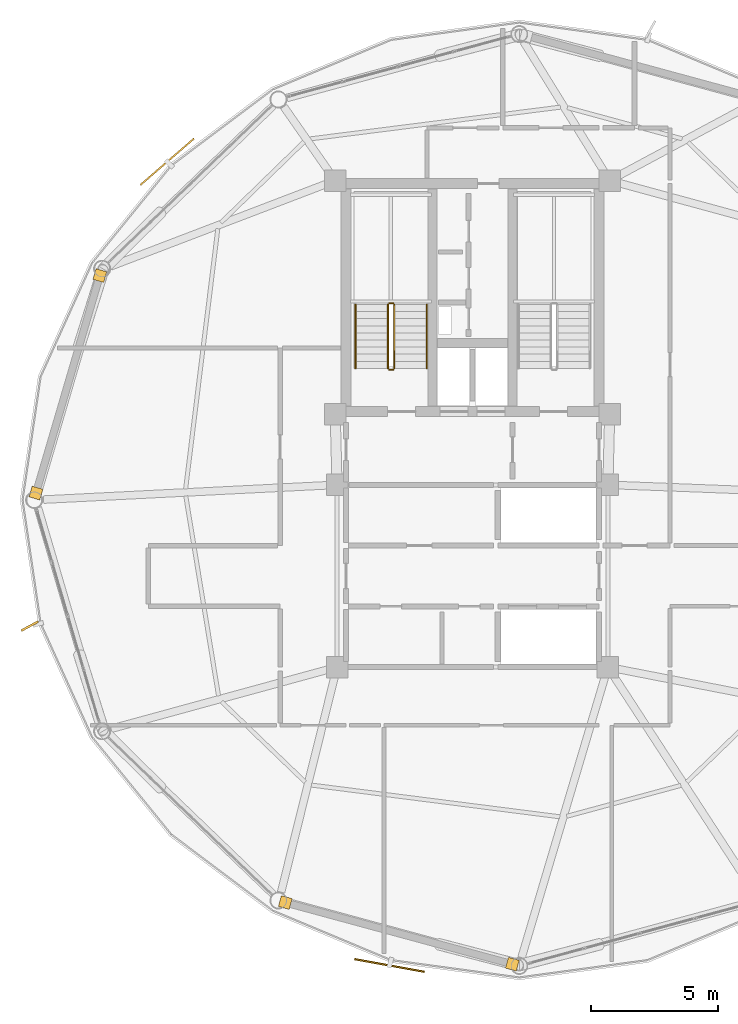
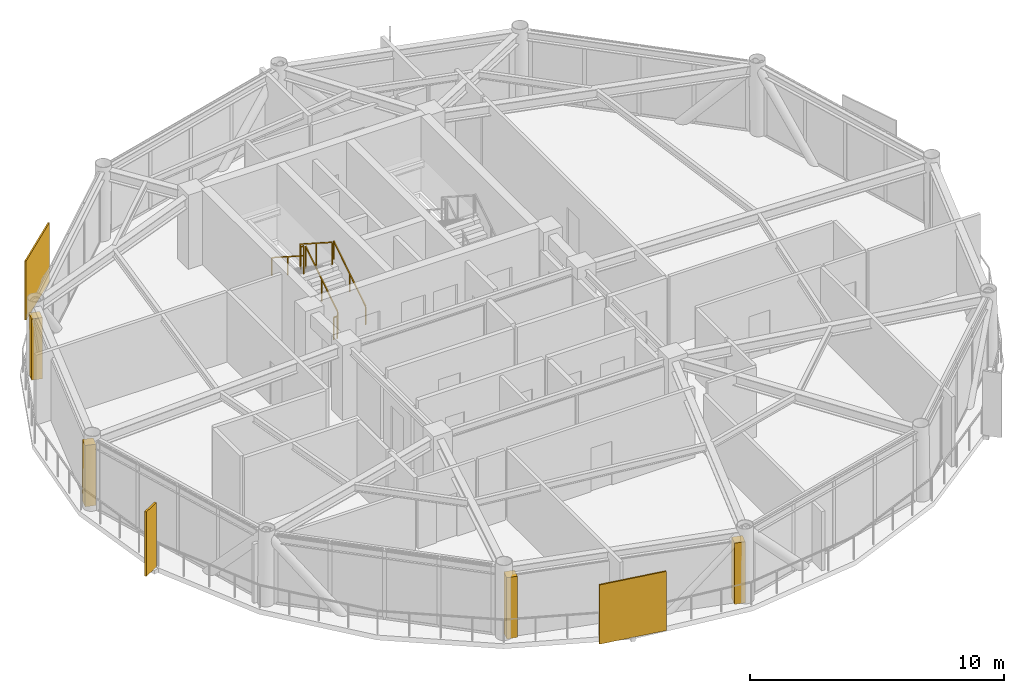
# One storey, part 26 of 28: 6 railings, 4 coverings, 3 shading devices.
"""IFC4 building model written with IfcOpenShell, lengths in metres."""

from ifc_helpers import new_model, si_unit, direction, frame, origin, origin_2d, place, context, subcontext, project, spatial, rectangle, extrude, source, transform, mapped, material, layer, layer_set, type_object, type_shapes, element, save


model = new_model("IFC4")

# Units and contexts
model_context = context("Model", 3, precision=1e-05, world=origin(), true_north=direction((0.0, 1.0)))
body_context = subcontext(model_context, "Body", "Model", "MODEL_VIEW")
ifc_project = project(units=[si_unit("LENGTHUNIT", "METRE"), si_unit("AREAUNIT", "SQUARE_METRE"), si_unit("VOLUMEUNIT", "CUBIC_METRE"), si_unit("PLANEANGLEUNIT", "RADIAN"), si_unit("MASSUNIT", "GRAM", prefix="KILO")], contexts=[model_context])

# Site, building, storey
site_placement = place(None, origin())
site = spatial("IfcSite", under=ifc_project, at=site_placement, CompositionType="ELEMENT")
building_placement = place(site_placement, origin())
building = spatial("IfcBuilding", under=site, at=building_placement, Name="Varnakorn Sky Granary", CompositionType="ELEMENT")
storey_placement = place(building_placement, frame((0.0, 0.0, 211.199951171875)))
storey = spatial("IfcBuildingStorey", under=building, at=storey_placement, Name="L53", CompositionType="ELEMENT", Elevation=211.199951171875)

# Railings
ifc_material_1 = material(Name="Brushed Stainless Steel 316", Category="steel")
railing_type_1 = type_object("IfcRailingType", Name="RL-STAIR-1100", PredefinedType="GUARDRAIL", material=ifc_material_1)
railing_1_placement = place(storey_placement, frame((-0.090087890625, 5.199951171875, 0.179931640625)))
element("IfcRailing", 1, at=railing_1_placement, inside=storey, type_object=railing_type_1, Name="L53 ST-1 stair guard 1", PredefinedType="GUARDRAIL", context=body_context, shape_type="SweptSolid", body=[
    extrude(rectangle(XDim=0.048095703125, YDim=0.048095703125, at=origin_2d()), frame((0.0, 0.0, 1.076171875), z_axis=(0.0, 0.841162588446, 0.540782303519), x_axis=(-1.0, 0.0, 0.0)), (0.0, 0.0, 1.0), 2.995849609375),
    extrude(rectangle(XDim=0.0419921875, YDim=0.0419921875, at=origin_2d()), origin(), (0.0, 0.0, 1.0), 1.048095703125),
    extrude(rectangle(XDim=0.0419921875, YDim=0.0419921875, at=origin_2d()), frame((0.0, 1.260009765625, 0.81005859375)), (0.0, 0.0, 1.0), 1.048095703125),
    extrude(rectangle(XDim=0.0419921875, YDim=0.0419921875, at=origin_2d()), frame((0.0, 2.52001953125, 1.6201171875)), (0.0, 0.0, 1.0), 1.048095703125),
])
railing_2_placement = place(storey_placement, frame((-0.139892578125, 7.77001953125, 1.800048828125)))
element("IfcRailing", 2, at=railing_2_placement, inside=storey, type_object=railing_type_1, Name="L53 ST-1 stair guard 2", PredefinedType="GUARDRAIL", context=body_context, shape_type="SweptSolid", body=[
    extrude(rectangle(XDim=0.048095703125, YDim=0.048095703125, at=origin_2d()), frame((0.0, 0.0, 1.076171875), z_axis=(-1.0, 0.0, 0.0), x_axis=(0.0, -1.0, 0.0)), (0.0, 0.0, 1.0), 0.150146484375),
    extrude(rectangle(XDim=0.0419921875, YDim=0.0419921875, at=origin_2d()), origin(), (0.0, 0.0, 1.0), 1.048095703125),
    extrude(rectangle(XDim=0.0419921875, YDim=0.0419921875, at=origin_2d()), frame((-0.150146484375, 0.0, 0.0)), (0.0, 0.0, 1.0), 1.048095703125),
])
railing_3_placement = place(storey_placement, frame((-0.340087890625, 7.719970703125, 1.97998046875)))
element("IfcRailing", 3, at=railing_3_placement, inside=storey, type_object=railing_type_1, Name="L53 ST-1 stair guard 3", PredefinedType="GUARDRAIL", context=body_context, shape_type="SweptSolid", body=[
    extrude(rectangle(XDim=0.048095703125, YDim=0.048095703125, at=origin_2d()), frame((0.0, 0.0, 1.076171875), z_axis=(0.0, -0.841162588446, 0.540782303519), x_axis=(1.0, 0.0, 0.0)), (0.0, 0.0, 1.0), 2.995849609375),
    extrude(rectangle(XDim=0.0419921875, YDim=0.0419921875, at=origin_2d()), origin(), (0.0, 0.0, 1.0), 1.048095703125),
    extrude(rectangle(XDim=0.0419921875, YDim=0.0419921875, at=origin_2d()), frame((0.0, -1.260009765625, 0.81005859375)), (0.0, 0.0, 1.0), 1.048095703125),
    extrude(rectangle(XDim=0.0419921875, YDim=0.0419921875, at=origin_2d()), frame((0.0, -2.52001953125, 1.6201171875)), (0.0, 0.0, 1.0), 1.048095703125),
])
railing_4_placement = place(storey_placement, frame((-0.139892578125, 5.14990234375, 0.0)))
element("IfcRailing", 4, at=railing_4_placement, inside=storey, type_object=railing_type_1, Name="L53 ST-1 stair guard 4", PredefinedType="GUARDRAIL", context=body_context, shape_type="SweptSolid", body=[
    extrude(rectangle(XDim=0.048095703125, YDim=0.048095703125, at=origin_2d()), frame((0.0, 0.0, 1.076171875), z_axis=(-1.0, 0.0, 0.0), x_axis=(0.0, -1.0, 0.0)), (0.0, 0.0, 1.0), 0.150146484375),
    extrude(rectangle(XDim=0.0419921875, YDim=0.0419921875, at=origin_2d()), origin(), (0.0, 0.0, 1.0), 1.048095703125),
    extrude(rectangle(XDim=0.0419921875, YDim=0.0419921875, at=origin_2d()), frame((-0.150146484375, 0.0, 0.0)), (0.0, 0.0, 1.0), 1.048095703125),
])
railing_type_2 = type_object("IfcRailingType", Name="RL-STAIR-920", PredefinedType="HANDRAIL", material=ifc_material_1)
railing_5_placement = place(storey_placement, frame((1.18994140625, 5.199951171875, 0.179931640625)))
element("IfcRailing", 5, at=railing_5_placement, inside=storey, type_object=railing_type_2, Name="L53 ST-1 stair handrail 1", PredefinedType="HANDRAIL", context=body_context, shape_type="SweptSolid", body=[
    extrude(rectangle(XDim=0.048095703125, YDim=0.048095703125, at=origin_2d()), frame((0.0, 0.0, 0.8759765625), z_axis=(0.0, 0.841162588446, 0.540782303519), x_axis=(-1.0, 0.0, 0.0)), (0.0, 0.0, 1.0), 2.995849609375),
    extrude(rectangle(XDim=0.0419921875, YDim=0.0419921875, at=origin_2d()), origin(), (0.0, 0.0, 1.0), 0.847900390625),
    extrude(rectangle(XDim=0.0419921875, YDim=0.0419921875, at=origin_2d()), frame((0.0, 1.260009765625, 0.81005859375)), (0.0, 0.0, 1.0), 0.847900390625),
    extrude(rectangle(XDim=0.0419921875, YDim=0.0419921875, at=origin_2d()), frame((0.0, 2.52001953125, 1.6201171875)), (0.0, 0.0, 1.0), 0.847900390625),
])
railing_6_placement = place(storey_placement, frame((-1.6201171875, 7.719970703125, 1.97998046875)))
element("IfcRailing", 6, at=railing_6_placement, inside=storey, type_object=railing_type_2, Name="L53 ST-1 stair handrail 2", PredefinedType="HANDRAIL", context=body_context, shape_type="SweptSolid", body=[
    extrude(rectangle(XDim=0.048095703125, YDim=0.048095703125, at=origin_2d()), frame((0.0, 0.0, 0.8759765625), z_axis=(0.0, -0.841162588446, 0.540782303519), x_axis=(1.0, 0.0, 0.0)), (0.0, 0.0, 1.0), 2.995849609375),
    extrude(rectangle(XDim=0.0419921875, YDim=0.0419921875, at=origin_2d()), origin(), (0.0, 0.0, 1.0), 0.847900390625),
    extrude(rectangle(XDim=0.0419921875, YDim=0.0419921875, at=origin_2d()), frame((0.0, -1.260009765625, 0.81005859375)), (0.0, 0.0, 1.0), 0.847900390625),
    extrude(rectangle(XDim=0.0419921875, YDim=0.0419921875, at=origin_2d()), frame((0.0, -2.52001953125, 1.6201171875)), (0.0, 0.0, 1.0), 0.847900390625),
])

# Coverings
ifc_material_2 = material(Name="Anodised Bronze Aluminium Alloy 6063-T6", Category="aluminium")
ifc_layer = layer(ifc_material_2, 0.050048828125, Name="Anodised Bronze Aluminium Alloy 6063-T6")
ifc_layer_set = layer_set([ifc_layer], Name="Anodised Bronze Aluminium Alloy 6063-T6")
covering_type = type_object("IfcCoveringType", Name="CV-CLAD-50", PredefinedType="CLADDING", material=ifc_layer_set)
shared_shape_1 = source(origin(), body_context, "Body", "SweptSolid", [
    extrude(rectangle(XDim=0.43994140625, YDim=0.43994140625, at=origin_2d()), origin(), (0.0, 0.0, 1.0), 2.949951171875),
])
type_shapes(covering_type, [shared_shape_1])
for number, where, z_axis, x_axis, name in (
    (7, (-14.24267578125, 0.2734375, -0.02001953125), (0.0, 0.0, 1.0), (0.2820065759, 0.959412471854, 0.0), "Bronze Corner Pilaster Closure L53-P06-A"),
    (8, (-11.7177734375, 8.864501953125, -0.02001953125), (0.0, 0.0, 1.0), (0.2820065759, 0.959412471854, 0.0), "Bronze Corner Pilaster Closure L53-P06-B"),
    (9, (4.574951171875, -18.33642578125, -0.02001953125), (0.0, 0.0, 1.0), (-0.965107956967, 0.261852308371, 0.0), "Bronze Corner Pilaster Closure L53-P09-A"),
    (10, (-4.39404296875, -15.902099609375, -0.02001953125), (0.0, 0.0, 1.0), (-0.965107956967, 0.261852308371, 0.0), "Bronze Corner Pilaster Closure L53-P09-B"),
):
    element("IfcCovering", number, at=place(storey_placement, frame(where, z_axis=z_axis, x_axis=x_axis)), inside=storey, type_object=covering_type, Name=name, PredefinedType="CLADDING", context=body_context, shape_type="MappedRepresentation", body=[
        mapped(shared_shape_1, transform((0.0, 0.0, 0.0), x_axis=(1.0, 0.0, 0.0), y_axis=(0.0, 1.0, 0.0), z_axis=(0.0, 0.0, 1.0), scale=1.0)),
    ])

# Shading devices
shading_device_type_1 = type_object("IfcShadingDeviceType", Name="SH-FIN-03", PredefinedType="USERDEFINED", material=ifc_material_2)
shared_shape_2 = source(origin(), body_context, "Body", "SweptSolid", [
    extrude(rectangle(XDim=0.0849609375, YDim=0.760009765625, at=origin_2d()), origin(), (0.0, 0.0, 1.0), 3.10009765625),
])
type_shapes(shading_device_type_1, [shared_shape_2])
shading_device_placement = place(storey_placement, frame((-14.487060546875, -4.9794921875, -0.0400390625), z_axis=(0.0, 0.0, 1.0), x_axis=(0.476400070363, -0.879228623828, 0.0)))
element("IfcShadingDevice", 11, at=shading_device_placement, inside=storey, type_object=shading_device_type_1, Name="Bronze Solar-Tracking Vertical Blade FIN L53-07", ObjectType="FIN", PredefinedType="USERDEFINED", context=body_context, shape_type="MappedRepresentation", body=[
    mapped(shared_shape_2, transform((0.0, 0.0, 0.0), x_axis=(1.0, 0.0, 0.0), y_axis=(0.0, 1.0, 0.0), z_axis=(0.0, 0.0, 1.0), scale=1.0)),
])
shading_device_type_2 = type_object("IfcShadingDeviceType", Name="SH-SCR-03", PredefinedType="USERDEFINED", material=ifc_material_2)
shared_shape_3 = source(origin(), body_context, "Body", "SweptSolid", [
    extrude(rectangle(XDim=2.800048828125, YDim=0.06494140625, at=origin_2d()), origin(), (0.0, 0.0, 1.0), 2.85009765625),
])
type_shapes(shading_device_type_2, [shared_shape_3])
for number, where, z_axis, x_axis, name in (
    (12, (-9.05712890625, 13.361572265625, -0.0400390625), (0.0, 0.0, 1.0), (-0.755896734846, -0.654690863117, 0.0), "Perforated Bronze Solar Screen Panel SCREEN L53-05"),
    (13, (-0.276611328125, -18.38671875, -0.0400390625), (0.0, 0.0, 1.0), (0.983793810254, -0.179303482693, 0.0), "Perforated Bronze Solar Screen Panel SCREEN L53-09"),
):
    element("IfcShadingDevice", number, at=place(storey_placement, frame(where, z_axis=z_axis, x_axis=x_axis)), inside=storey, type_object=shading_device_type_2, Name=name, ObjectType="SCREEN", PredefinedType="USERDEFINED", context=body_context, shape_type="MappedRepresentation", body=[
        mapped(shared_shape_3, transform((0.0, 0.0, 0.0), x_axis=(1.0, 0.0, 0.0), y_axis=(0.0, 1.0, 0.0), z_axis=(0.0, 0.0, 1.0), scale=1.0)),
    ])

save(model, "model.ifc")
